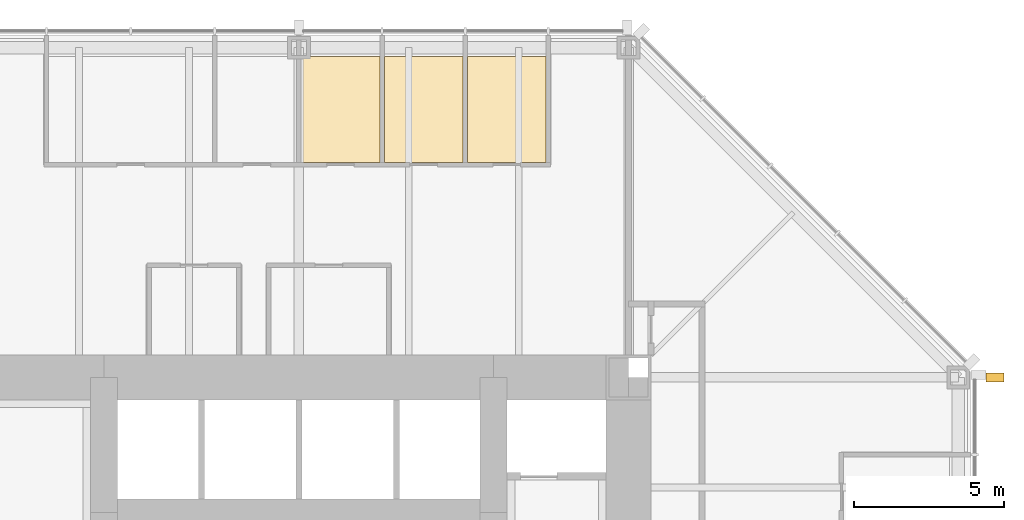
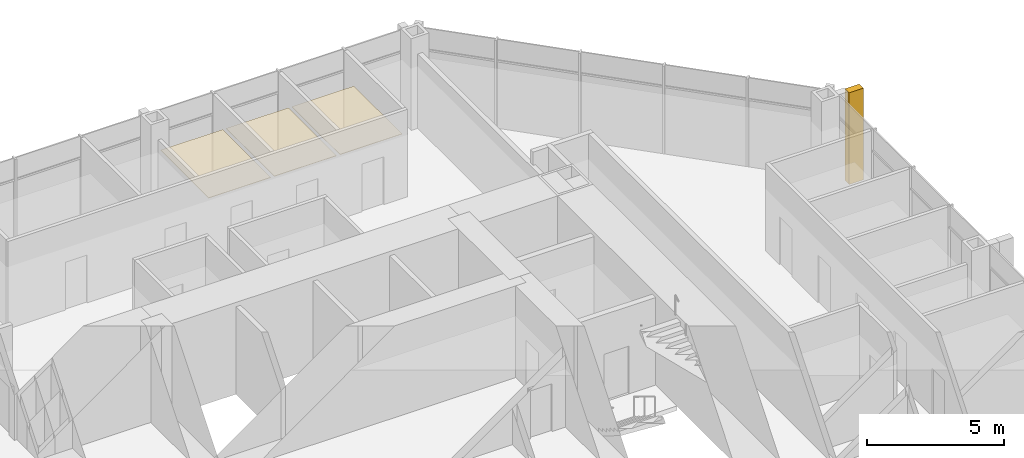
# One storey, part 14 of 14: 4 coverings.
"""IFC4 building model written with IfcOpenShell, lengths in metres."""

import ifcopenshell
import ifcopenshell.guid

model = None  # the IFC model being written
_history = None  # IfcOwnerHistory: only IFC2X3 demands one
_inside = {}  # id of a spatial element -> (the spatial element, [elements in it])
_under = {}  # id of a project, library or spatial element -> (it, [spatial elements below it])
_declared = {}  # id of a project -> (the project, [libraries it declares])
_typed = {}  # id of a type object -> (the type object, [elements of that type])
_made_of = {}  # id of a material, layer set ... -> (it, [elements and type objects made of it])


def new_model(schema):
    """Start an empty IFC model of exactly this schema.

    Asked for "IFC4X3", IfcOpenShell would pick the latest addendum, in which some entities
    have other attributes; the version numbers below select the first issue.
    IFC2X3 requires an IfcOwnerHistory on every rooted entity: one is made here for all.
    """
    global model, _history
    if schema == "IFC4X3":
        model = ifcopenshell.file(schema_version=(4, 3, 0, 0))
    else:
        model = ifcopenshell.file(schema=schema)
    _inside.clear()
    _under.clear()
    _declared.clear()
    _typed.clear()
    _made_of.clear()
    _history = None
    if model.schema == "IFC2X3":
        org = make("IfcOrganization", Name="unknown")
        user = make(
            "IfcPersonAndOrganization",
            ThePerson=make("IfcPerson", FamilyName="unknown"),
            TheOrganization=org,
        )
        app = make(
            "IfcApplication",
            ApplicationDeveloper=org,
            Version="unknown",
            ApplicationFullName="unknown",
            ApplicationIdentifier="unknown",
        )
        _history = make(
            "IfcOwnerHistory",
            OwningUser=user,
            OwningApplication=app,
            ChangeAction="ADDED",
            CreationDate=0,
        )
    return model


def make(cls, **values):
    """One entity of the class cls with the attributes given. An attribute that is None is left unset."""
    return model.create_entity(
        cls, **{name: value for name, value in values.items() if value is not None}
    )


def rooted(cls, **values):
    """An entity with a GlobalId (a new one), such as an element, a storey or a relation."""
    return make(cls, GlobalId=ifcopenshell.guid.new(), OwnerHistory=_history, **values)


def si_unit(unit_type, name, prefix=None):
    """IfcSIUnit, for example si_unit("LENGTHUNIT", "METRE", prefix="MILLI")."""
    return make("IfcSIUnit", UnitType=unit_type, Prefix=prefix, Name=name)


def assignment(units):
    """IfcUnitAssignment: the units of a project."""
    return None if units is None else make("IfcUnitAssignment", Units=units)


def point(xyz):
    """IfcCartesianPoint."""
    return None if xyz is None else make("IfcCartesianPoint", Coordinates=xyz)


def direction(xyz):
    """IfcDirection."""
    return None if xyz is None else make("IfcDirection", DirectionRatios=xyz)


def frame(location, z_axis=None, x_axis=None):
    """IfcAxis2Placement3D, a coordinate frame: its origin and axes. An axis left out is left unset."""
    return make(
        "IfcAxis2Placement3D",
        Location=point(location),
        Axis=direction(z_axis),
        RefDirection=direction(x_axis),
    )


def frame_2d(location, x_axis=None):
    """IfcAxis2Placement2D, a coordinate frame in the plane: its origin and x axis."""
    return make(
        "IfcAxis2Placement2D", Location=point(location), RefDirection=direction(x_axis)
    )


def origin():
    """The frame at (0, 0, 0) with its axes left unset."""
    return frame((0.0, 0.0, 0.0))


def origin_2d():
    """The frame at (0, 0) in the plane with its x axis left unset."""
    return frame_2d((0.0, 0.0))


def place(relative_to, where):
    """IfcLocalPlacement: puts the frame where relative to a parent placement (None: the world)."""
    return make(
        "IfcLocalPlacement", PlacementRelTo=relative_to, RelativePlacement=where
    )


def context(
    kind, dimensions, precision=None, world=None, true_north=None, identifier=None
):
    """IfcGeometricRepresentationContext, for example the 3D "Model" context."""
    return make(
        "IfcGeometricRepresentationContext",
        ContextIdentifier=identifier,
        ContextType=kind,
        CoordinateSpaceDimension=dimensions,
        Precision=precision,
        WorldCoordinateSystem=world,
        TrueNorth=true_north,
    )


def subcontext(parent, identifier, kind, view, scale=None):
    """IfcGeometricRepresentationSubContext, for example "Body" below "Model"."""
    return make(
        "IfcGeometricRepresentationSubContext",
        ContextIdentifier=identifier,
        ContextType=kind,
        ParentContext=parent,
        TargetScale=scale,
        TargetView=view,
    )


def project(units=None, contexts=None):
    """IfcProject with its units and contexts."""
    return rooted(
        "IfcProject",
        Name="project",
        RepresentationContexts=contexts,
        UnitsInContext=assignment(units),
    )


def spatial(cls, under=None, at=None, **own):
    """A site, building, storey or space (cls), placed at a placement, below another one or the project."""
    s = rooted(cls, ObjectPlacement=at, **own)
    if under is not None:
        _under.setdefault(under.id(), (under, []))[1].append(s)
    return s


def polyline(points):
    """IfcPolyline through the points."""
    return make("IfcPolyline", Points=[point(p) for p in points])


def profile(cls, at=None, kind="AREA", **sizes):
    """A parametric profile (cls). Its sizes go by their IFC names, for example OverallWidth=200.0."""
    return make(cls, ProfileType=kind, Position=at, **sizes)


def rectangle(**sizes):
    """IfcRectangleProfileDef."""
    return profile("IfcRectangleProfileDef", **sizes)


def outline(outer, holes=None, kind="AREA"):
    """IfcArbitraryClosedProfileDef: a profile drawn as a closed curve; with holes, ...WithVoids."""
    if holes is None:
        return make("IfcArbitraryClosedProfileDef", ProfileType=kind, OuterCurve=outer)
    return make(
        "IfcArbitraryProfileDefWithVoids",
        ProfileType=kind,
        OuterCurve=outer,
        InnerCurves=holes,
    )


def extrude(swept, where, along, depth):
    """IfcExtrudedAreaSolid: the profile swept, set in the frame where, extruded along a direction by depth."""
    return make(
        "IfcExtrudedAreaSolid",
        SweptArea=swept,
        Position=where,
        ExtrudedDirection=direction(along),
        Depth=depth,
    )


def shape(context_of_items, identifier, shape_type, items):
    """IfcShapeRepresentation: the items that make up one representation, for example the "Body"."""
    return make(
        "IfcShapeRepresentation",
        ContextOfItems=context_of_items,
        RepresentationIdentifier=identifier,
        RepresentationType=shape_type,
        Items=items,
    )


def material(Name=None, Category=None):
    """IfcMaterial."""
    return make("IfcMaterial", Name=Name, Category=Category)


def layer(
    of_material, thickness, ventilated=None, Name=None, Category=None, Priority=None
):
    """IfcMaterialLayer: one layer of a wall or slab, of a material (None: an air gap)."""
    return make(
        "IfcMaterialLayer",
        Material=of_material,
        LayerThickness=thickness,
        IsVentilated=ventilated,
        Name=Name,
        Category=Category,
        Priority=Priority,
    )


def layer_set(layers, Name=None):
    """IfcMaterialLayerSet."""
    return make("IfcMaterialLayerSet", MaterialLayers=layers, LayerSetName=Name)


def made_of(thing, what):
    """Note that an element or type object is made of a material, layer set ...; save() writes the relation."""
    if what is not None:
        _made_of.setdefault(what.id(), (what, []))[1].append(thing)
    return thing


def type_object(cls, material=None, **own):
    """A type object (cls), such as IfcWallType, which elements share."""
    return made_of(rooted(cls, **own), material)


def element(
    cls,
    number,
    at=None,
    inside=None,
    cuts=None,
    type_object=None,
    material=None,
    context=None,
    identifier="Body",
    shape_type=None,
    held_by="IfcProductDefinitionShape",
    body=None,
    shapes=None,
    **own,
):
    """One element of the class cls, such as IfcWall. Its Tag is "e" and its number.

    at: its placement. inside: the storey or other place that contains it. cuts: it is an
    opening in that element (IfcRelVoidsElement). A single representation is given by context,
    identifier, shape_type and body (its items); several are given by shapes. held_by: the class
    of the entity that holds the representations. save() writes the other relations.
    """
    e = rooted(cls, Tag="e%d" % number, ObjectPlacement=at, **own)
    if body is not None:
        shapes = [shape(context, identifier, shape_type, body)]
    if shapes is not None:
        e.Representation = make(held_by, Representations=shapes)
    if inside is not None:
        _inside.setdefault(inside.id(), (inside, []))[1].append(e)
    if cuts is not None:
        rooted(
            "IfcRelVoidsElement", RelatingBuildingElement=cuts, RelatedOpeningElement=e
        )
    if type_object is not None:
        _typed.setdefault(type_object.id(), (type_object, []))[1].append(e)
    return made_of(e, material)


def aggregate(whole, parts):
    """IfcRelAggregates: a whole, such as a stair, and the parts it consists of."""
    return rooted("IfcRelAggregates", RelatingObject=whole, RelatedObjects=parts)


def save(model, path):
    """Write the relations noted so far, then the file.

    IfcRelAggregates (storeys below a building ...), IfcRelContainedInSpatialStructure (elements
    in a storey), IfcRelDefinesByType, IfcRelAssociatesMaterial and IfcRelDeclares: one each for
    every whole, place, type object, material and project.
    """
    for whole, parts in _under.values():
        aggregate(whole, parts)
    for where, things in _inside.values():
        rooted(
            "IfcRelContainedInSpatialStructure",
            RelatedElements=things,
            RelatingStructure=where,
        )
    for kind, things in _typed.values():
        rooted("IfcRelDefinesByType", RelatedObjects=things, RelatingType=kind)
    for what, things in _made_of.values():
        rooted("IfcRelAssociatesMaterial", RelatedObjects=things, RelatingMaterial=what)
    for by, libraries in _declared.values():
        rooted("IfcRelDeclares", RelatingContext=by, RelatedDefinitions=libraries)
    model.write(path)


model = new_model("IFC4")

# Units and contexts
model_context = context("Model", 3, precision=1e-05, world=origin(), true_north=direction((0.0, 1.0)))
body_context = subcontext(model_context, "Body", "Model", "MODEL_VIEW")
ifc_project = project(units=[si_unit("LENGTHUNIT", "METRE"), si_unit("AREAUNIT", "SQUARE_METRE"), si_unit("VOLUMEUNIT", "CUBIC_METRE"), si_unit("PLANEANGLEUNIT", "RADIAN"), si_unit("MASSUNIT", "GRAM", prefix="KILO")], contexts=[model_context])

# Site, building, storey
site_placement = place(None, origin())
site = spatial("IfcSite", under=ifc_project, at=site_placement, CompositionType="ELEMENT")
building_placement = place(site_placement, origin())
building = spatial("IfcBuilding", under=site, at=building_placement, Name="Trevanion Tower", CompositionType="ELEMENT")
storey_placement = place(building_placement, frame((0.0, 0.0, 100.800048828125)))
storey = spatial("IfcBuildingStorey", under=building, at=storey_placement, Name="L23", CompositionType="ELEMENT", Elevation=100.800048828125)

# Coverings
ifc_material_1 = material(Name="Mineral fibre acoustic tiles in exposed grid", Category="mineral fibre")
ifc_layer = layer(ifc_material_1, 0.02001953125)
ifc_layer_set = layer_set([ifc_layer], Name="CL2 acoustic tile ceiling 20")
covering_type_1 = type_object("IfcCoveringType", Name="CL2 acoustic tile ceiling 20", PredefinedType="CEILING", material=ifc_layer_set)
covering_1_placement = place(storey_placement, frame((0.0, 0.0, 2.75)))
element("IfcCovering", 1, at=covering_1_placement, inside=storey, type_object=covering_type_1, Name="CL2 L23-OF7", PredefinedType="CEILING", context=body_context, shape_type="SweptSolid", body=[
    extrude(outline(polyline([(8.248046875, 18.175048828125), (5.6240234375, 18.175048828125), (5.6240234375, 21.699951171875), (8.248046875, 21.699951171875), (8.248046875, 18.175048828125)])), origin(), (0.0, 0.0, 1.0), 0.02001953125),
])
covering_2_placement = place(storey_placement, frame((0.0, 0.0, 2.75)))
element("IfcCovering", 2, at=covering_2_placement, inside=storey, type_object=covering_type_1, Name="CL2 L23-OF8", PredefinedType="CEILING", context=body_context, shape_type="SweptSolid", body=[
    extrude(outline(polyline([(5.47412109375, 18.175048828125), (2.85009765625, 18.175048828125), (2.85009765625, 21.699951171875), (5.47412109375, 21.699951171875), (5.47412109375, 18.175048828125)])), origin(), (0.0, 0.0, 1.0), 0.02001953125),
])
covering_3_placement = place(storey_placement, frame((0.0, 0.0, 2.75)))
element("IfcCovering", 3, at=covering_3_placement, inside=storey, type_object=covering_type_1, Name="CL2 L23-OF9", PredefinedType="CEILING", context=body_context, shape_type="SweptSolid", body=[
    extrude(outline(polyline([(2.699951171875, 18.175048828125), (0.074951171875, 18.175048828125), (0.074951171875, 21.699951171875), (2.699951171875, 21.699951171875), (2.699951171875, 18.175048828125)])), origin(), (0.0, 0.0, 1.0), 0.02001953125),
])
ifc_material_2 = material(Name="Cast bronze fin on aluminium carrier", Category="aluminium")
covering_type_2 = type_object("IfcCoveringType", Name="F1 bronze fin", PredefinedType="CLADDING", material=ifc_material_2)
covering_4_placement = place(storey_placement, frame((23.22509765625, 11.0, -0.190185546875), z_axis=(0.0, 0.0, 1.0), x_axis=(0.0, 1.0, 0.0)))
element("IfcCovering", 4, at=covering_4_placement, inside=storey, type_object=covering_type_2, Name="F1 L23 east +11.0", PredefinedType="CLADDING", context=body_context, shape_type="SweptSolid", body=[
    extrude(rectangle(XDim=0.300048828125, YDim=0.60009765625, at=origin_2d()), origin(), (0.0, 0.0, 1.0), 4.10009765625),
])

save(model, "model.ifc")
